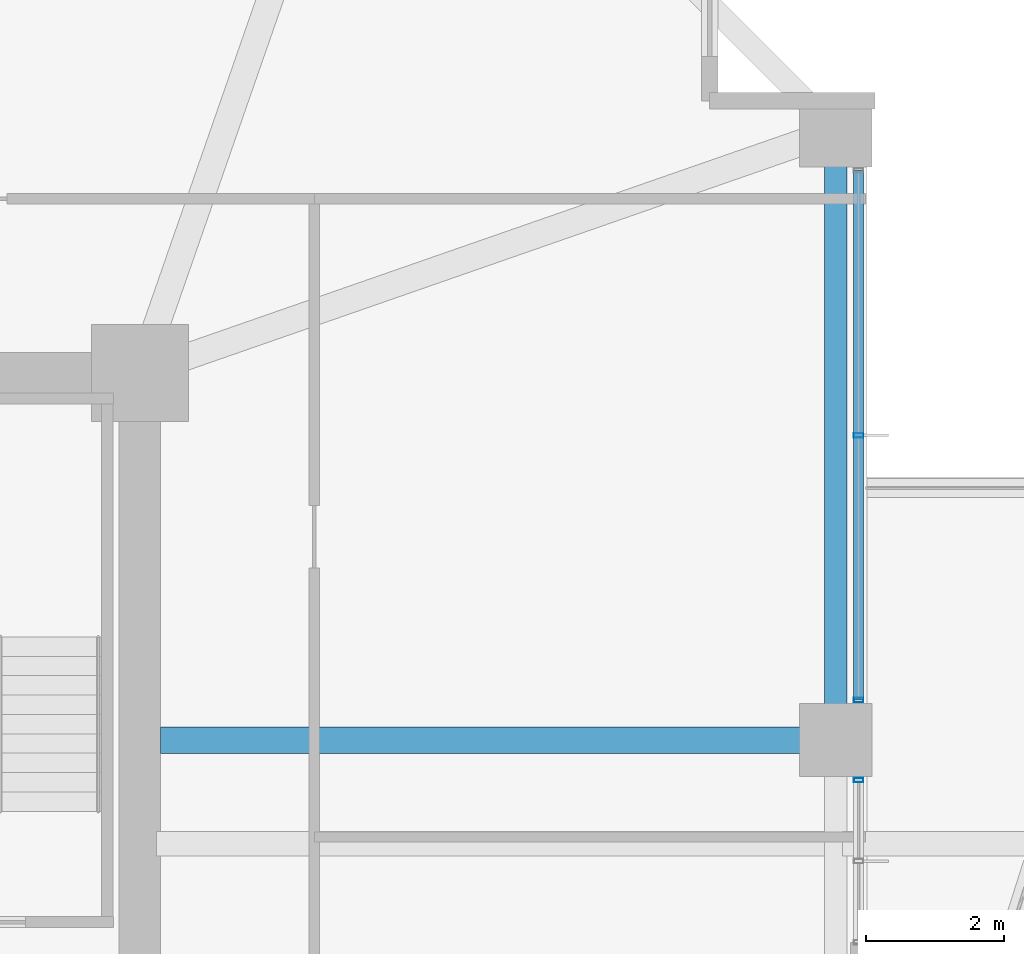
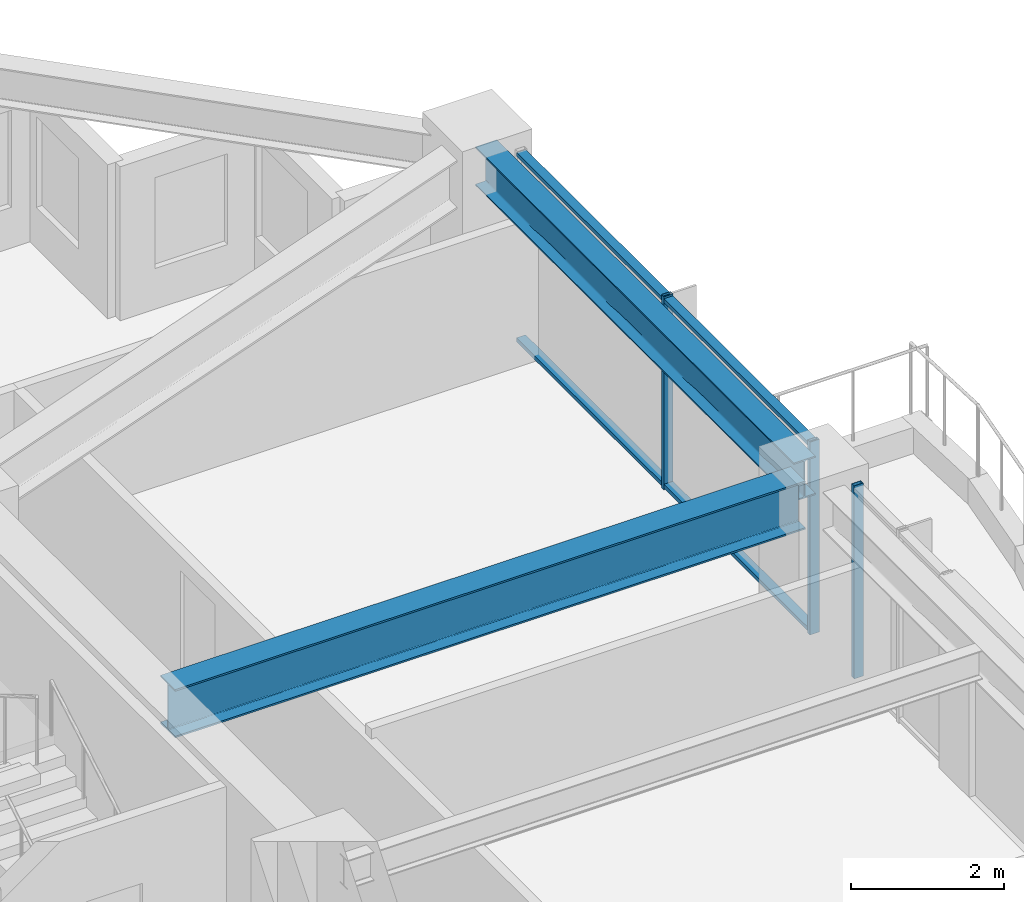
# One storey, part 18 of 36: 5 members, 2 beams, 2 elements without a shape of their own.
"""IFC4 building model written with IfcOpenShell, lengths in metres."""

from ifc_helpers import new_model, si_unit, direction, frame, origin, origin_2d, place, context, subcontext, project, spatial, hollow_rectangle, i_section, extrude, material, material_profile, profile_set, type_object, element, aggregate, save


model = new_model("IFC4")

# Units and contexts
model_context = context("Model", 3, precision=1e-05, world=origin(), true_north=direction((0.0, 1.0)))
body_context = subcontext(model_context, "Body", "Model", "MODEL_VIEW")
ifc_project = project(units=[si_unit("LENGTHUNIT", "METRE"), si_unit("AREAUNIT", "SQUARE_METRE"), si_unit("VOLUMEUNIT", "CUBIC_METRE"), si_unit("PLANEANGLEUNIT", "RADIAN"), si_unit("MASSUNIT", "GRAM", prefix="KILO")], contexts=[model_context])

# Site, building, storey
site_placement = place(None, origin())
site = spatial("IfcSite", under=ifc_project, at=site_placement, CompositionType="ELEMENT")
building_placement = place(site_placement, origin())
building = spatial("IfcBuilding", under=site, at=building_placement, Name="Kolvaren Belvedere", CompositionType="ELEMENT")
storey_placement = place(building_placement, frame((0.0, 0.0, 95.300048828125)))
storey = spatial("IfcBuildingStorey", under=building, at=storey_placement, Name="L27", CompositionType="ELEMENT", Elevation=95.300048828125)

# Beams
ifc_material_1 = material(Name="Structural steel ASTM A992 Grade 50", Category="steel")
ifc_material_profile_1 = material_profile(ifc_material_1, i_section(OverallWidth=0.381103515625, OverallDepth=0.77294921875, WebThickness=0.0166015625, FlangeThickness=0.027099609375, FilletRadius=0.02392578125, at=origin_2d()), Name="W30X173")
ifc_profile_set_1 = profile_set([ifc_material_profile_1], Name="Structural steel ASTM A992 Grade 50")
beam_type_1 = type_object("IfcBeamType", Name="BM-GIRD-W30X173", PredefinedType="BEAM", material=ifc_profile_set_1)
beam_1_placement = place(storey_placement, frame((10.199951171875, 4.60009765625, 2.693359375), z_axis=(1.0, 0.0, 0.0), x_axis=(0.0, 1.0, 0.0)))
element("IfcBeam", 1, at=beam_1_placement, inside=storey, type_object=beam_type_1, Name="L27 East Radial Girder P", PredefinedType="BEAM", context=body_context, shape_type="SweptSolid", body=[
    extrude(i_section(OverallWidth=0.381103515625, OverallDepth=0.77294921875, WebThickness=0.0166015625, FlangeThickness=0.027099609375, FilletRadius=0.02392578125, at=origin_2d()), origin(), (0.0, 0.0, 1.0), 9.513916015625),
])
ifc_material_2 = material(Name="Structural steel ASTM A992 Grade 50", Category="steel")
ifc_material_profile_2 = material_profile(ifc_material_2, i_section(OverallWidth=0.324951171875, OverallDepth=0.615966796875, WebThickness=0.013916015625, FlangeThickness=0.021484375, FilletRadius=0.02001953125, at=origin_2d()), Name="W24X117")
ifc_profile_set_2 = profile_set([ifc_material_profile_2], Name="Structural steel ASTM A992 Grade 50")
beam_type_2 = type_object("IfcBeamType", Name="BM-SPAN-W24X117", PredefinedType="SPANDREL", material=ifc_profile_set_2)
beam_2_placement = place(storey_placement, frame((19.949951171875, 4.836181640625, 2.77197265625), z_axis=(0.0, 1.0, 0.0), x_axis=(-1.0, 0.0, 0.0)))
element("IfcBeam", 2, at=beam_2_placement, inside=storey, type_object=beam_type_2, Name="L27 Perimeter Spandrel E3-E4", PredefinedType="SPANDREL", context=body_context, shape_type="SweptSolid", body=[
    extrude(i_section(OverallWidth=0.324951171875, OverallDepth=0.615966796875, WebThickness=0.013916015625, FlangeThickness=0.021484375, FilletRadius=0.02001953125, at=origin_2d()), origin(), (0.0, 0.0, 1.0), 8.32763671875),
])

# Curtain wall, members
ifc_material_3 = material(Name="Anodised pale-metal aluminium AA 6063-T6", Category="aluminium")
curtain_wall_type = type_object("IfcCurtainWallType", Name="CW-Z2-MID", PredefinedType="NOTDEFINED", material=ifc_material_3)
curtain_wall_1_placement = place(storey_placement, origin())
curtain_wall_1 = element("IfcCurtainWall", 3, at=curtain_wall_1_placement, inside=storey, type_object=curtain_wall_type, Name="L27 Unitised Curtain Wall FCW-L27-E1-B1", PredefinedType="NOTDEFINED")
ifc_material_4 = material(Name="Anodised pale-metal aluminium AA 6063-T6", Category="aluminium")
ifc_material_profile_3 = material_profile(ifc_material_4, hollow_rectangle(XDim=0.06494140625, YDim=0.139892578125, WallThickness=0.00390625, at=origin_2d()), Name="ALU-MUL-140X65")
ifc_profile_set_3 = profile_set([ifc_material_profile_3], Name="Anodised pale-metal aluminium AA 6063-T6")
member_type_1 = type_object("IfcMemberType", Name="CW-MUL-140", PredefinedType="MULLION", material=ifc_profile_set_3)
member_1_placement = place(storey_placement, frame((20.280029296875, 9.0, 0.0), z_axis=(0.0, 0.0, 1.0), x_axis=(0.0, 1.0, 0.0)))
member_1 = element("IfcMember", 4, at=member_1_placement, type_object=member_type_1, Name="FCW-L27-E1-B1 Unitised Mullion 2", PredefinedType="MULLION", context=body_context, shape_type="SweptSolid", body=[
    extrude(hollow_rectangle(XDim=0.06494140625, YDim=0.139892578125, WallThickness=0.00390625, at=origin_2d()), origin(), (0.0, 0.0, 1.0), 3.079833984375),
])
member_2_placement = place(storey_placement, frame((20.280029296875, 5.177490234375, 0.0), z_axis=(0.0, 0.0, 1.0), x_axis=(0.0, 1.0, 0.0)))
member_2 = element("IfcMember", 5, at=member_2_placement, type_object=member_type_1, Name="FCW-L27-E1-B1 Unitised Mullion 3", PredefinedType="MULLION", context=body_context, shape_type="SweptSolid", body=[
    extrude(hollow_rectangle(XDim=0.06494140625, YDim=0.139892578125, WallThickness=0.00390625, at=origin_2d()), origin(), (0.0, 0.0, 1.0), 3.079833984375),
])

# Curtain wall, member
curtain_wall_2_placement = place(storey_placement, origin())
curtain_wall_2 = element("IfcCurtainWall", 6, at=curtain_wall_2_placement, inside=storey, type_object=curtain_wall_type, Name="L27 Unitised Curtain Wall FCW-L27-E1-B2", PredefinedType="NOTDEFINED")
member_3_placement = place(storey_placement, frame((20.280029296875, 4.0224609375, 0.0), z_axis=(0.0, 0.0, 1.0), x_axis=(0.0, 1.0, 0.0)))
member_3 = element("IfcMember", 7, at=member_3_placement, type_object=member_type_1, Name="FCW-L27-E1-B2 Unitised Mullion 1", PredefinedType="MULLION", context=body_context, shape_type="SweptSolid", body=[
    extrude(hollow_rectangle(XDim=0.06494140625, YDim=0.139892578125, WallThickness=0.00390625, at=origin_2d()), origin(), (0.0, 0.0, 1.0), 3.079833984375),
])
aggregate(curtain_wall_2, [member_3])

# Member
ifc_material_5 = material(Name="Anodised pale-metal aluminium AA 6063-T6", Category="aluminium")
ifc_material_profile_4 = material_profile(ifc_material_5, hollow_rectangle(XDim=0.06005859375, YDim=0.139892578125, WallThickness=0.00390625, at=origin_2d()), Name="ALU-TRN-140X60")
ifc_profile_set_4 = profile_set([ifc_material_profile_4], Name="Anodised pale-metal aluminium AA 6063-T6")
member_type_2 = type_object("IfcMemberType", Name="CW-TRN-140", PredefinedType="USERDEFINED", material=ifc_profile_set_4)
member_4_placement = place(storey_placement, frame((20.280029296875, 12.822509765625, 0.06005859375), z_axis=(0.0, -1.0, 0.0), x_axis=(0.0, 0.0, 1.0)))
member_4 = element("IfcMember", 8, at=member_4_placement, type_object=member_type_2, Name="FCW-L27-E1-B1 Sill Transom", ObjectType="TRANSOM", PredefinedType="USERDEFINED", context=body_context, shape_type="SweptSolid", body=[
    extrude(hollow_rectangle(XDim=0.06005859375, YDim=0.139892578125, WallThickness=0.00390625, at=origin_2d()), origin(), (0.0, 0.0, 1.0), 7.64501953125),
])

member_5_placement = place(storey_placement, frame((20.280029296875, 12.822509765625, 3.02001953125), z_axis=(0.0, -1.0, 0.0), x_axis=(0.0, 0.0, 1.0)))
member_5 = element("IfcMember", 9, at=member_5_placement, type_object=member_type_2, Name="FCW-L27-E1-B1 Head Transom", ObjectType="TRANSOM", PredefinedType="USERDEFINED", context=body_context, shape_type="SweptSolid", body=[
    extrude(hollow_rectangle(XDim=0.06005859375, YDim=0.139892578125, WallThickness=0.00390625, at=origin_2d()), origin(), (0.0, 0.0, 1.0), 7.64501953125),
])

aggregate(curtain_wall_1, [member_1, member_2, member_4, member_5])

save(model, "model.ifc")
